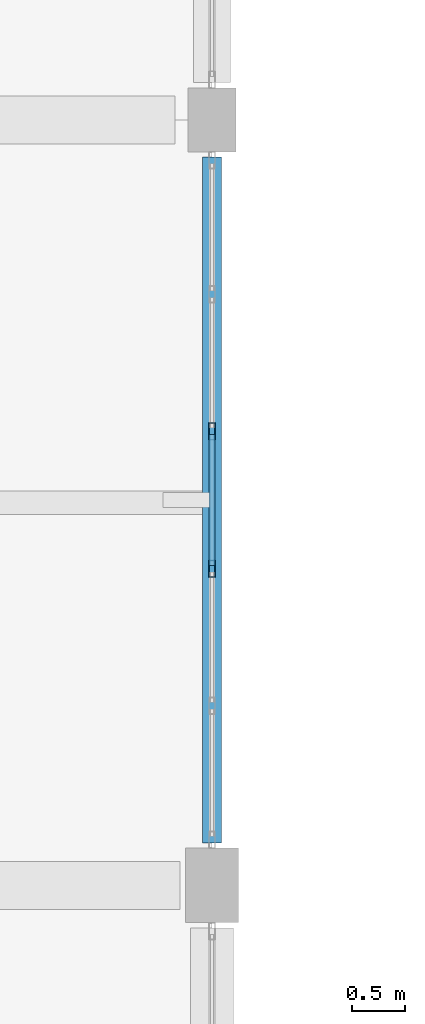
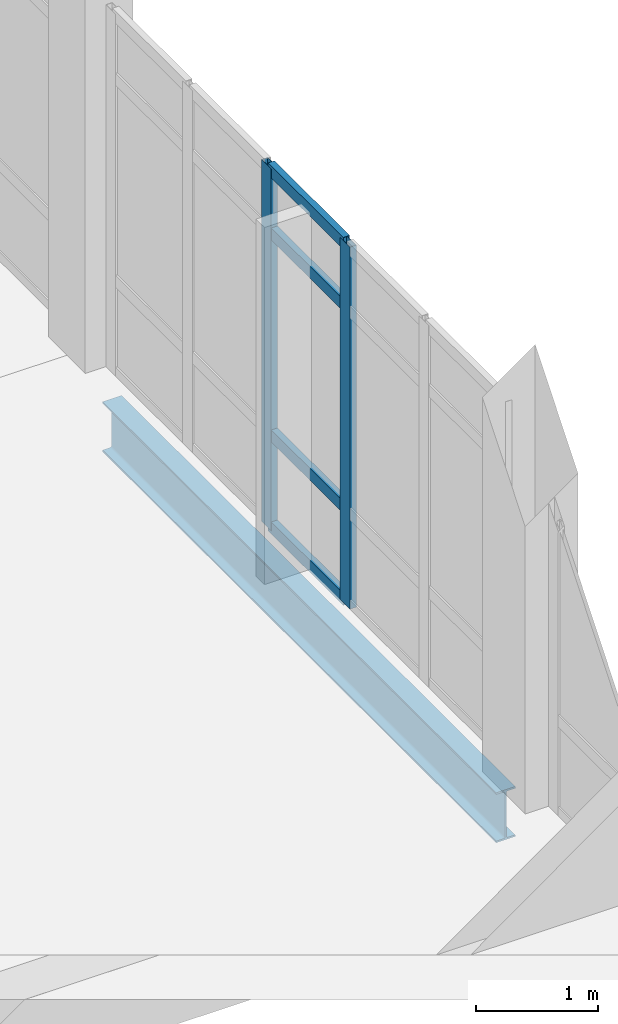
# One storey, part 17 of 87: 6 members, 1 beam, 1 element without a shape of its own.
"""IFC4 building model written with IfcOpenShell, lengths in metres."""

import ifcopenshell
import ifcopenshell.guid

model = None  # the IFC model being written
_history = None  # IfcOwnerHistory: only IFC2X3 demands one
_inside = {}  # id of a spatial element -> (the spatial element, [elements in it])
_under = {}  # id of a project, library or spatial element -> (it, [spatial elements below it])
_declared = {}  # id of a project -> (the project, [libraries it declares])
_typed = {}  # id of a type object -> (the type object, [elements of that type])
_made_of = {}  # id of a material, layer set ... -> (it, [elements and type objects made of it])


def new_model(schema):
    """Start an empty IFC model of exactly this schema.

    Asked for "IFC4X3", IfcOpenShell would pick the latest addendum, in which some entities
    have other attributes; the version numbers below select the first issue.
    IFC2X3 requires an IfcOwnerHistory on every rooted entity: one is made here for all.
    """
    global model, _history
    if schema == "IFC4X3":
        model = ifcopenshell.file(schema_version=(4, 3, 0, 0))
    else:
        model = ifcopenshell.file(schema=schema)
    _inside.clear()
    _under.clear()
    _declared.clear()
    _typed.clear()
    _made_of.clear()
    _history = None
    if model.schema == "IFC2X3":
        org = make("IfcOrganization", Name="unknown")
        user = make(
            "IfcPersonAndOrganization",
            ThePerson=make("IfcPerson", FamilyName="unknown"),
            TheOrganization=org,
        )
        app = make(
            "IfcApplication",
            ApplicationDeveloper=org,
            Version="unknown",
            ApplicationFullName="unknown",
            ApplicationIdentifier="unknown",
        )
        _history = make(
            "IfcOwnerHistory",
            OwningUser=user,
            OwningApplication=app,
            ChangeAction="ADDED",
            CreationDate=0,
        )
    return model


def make(cls, **values):
    """One entity of the class cls with the attributes given. An attribute that is None is left unset."""
    return model.create_entity(
        cls, **{name: value for name, value in values.items() if value is not None}
    )


def rooted(cls, **values):
    """An entity with a GlobalId (a new one), such as an element, a storey or a relation."""
    return make(cls, GlobalId=ifcopenshell.guid.new(), OwnerHistory=_history, **values)


def si_unit(unit_type, name, prefix=None):
    """IfcSIUnit, for example si_unit("LENGTHUNIT", "METRE", prefix="MILLI")."""
    return make("IfcSIUnit", UnitType=unit_type, Prefix=prefix, Name=name)


def assignment(units):
    """IfcUnitAssignment: the units of a project."""
    return None if units is None else make("IfcUnitAssignment", Units=units)


def point(xyz):
    """IfcCartesianPoint."""
    return None if xyz is None else make("IfcCartesianPoint", Coordinates=xyz)


def direction(xyz):
    """IfcDirection."""
    return None if xyz is None else make("IfcDirection", DirectionRatios=xyz)


def frame(location, z_axis=None, x_axis=None):
    """IfcAxis2Placement3D, a coordinate frame: its origin and axes. An axis left out is left unset."""
    return make(
        "IfcAxis2Placement3D",
        Location=point(location),
        Axis=direction(z_axis),
        RefDirection=direction(x_axis),
    )


def frame_2d(location, x_axis=None):
    """IfcAxis2Placement2D, a coordinate frame in the plane: its origin and x axis."""
    return make(
        "IfcAxis2Placement2D", Location=point(location), RefDirection=direction(x_axis)
    )


def origin():
    """The frame at (0, 0, 0) with its axes left unset."""
    return frame((0.0, 0.0, 0.0))


def origin_2d():
    """The frame at (0, 0) in the plane with its x axis left unset."""
    return frame_2d((0.0, 0.0))


def place(relative_to, where):
    """IfcLocalPlacement: puts the frame where relative to a parent placement (None: the world)."""
    return make(
        "IfcLocalPlacement", PlacementRelTo=relative_to, RelativePlacement=where
    )


def context(
    kind, dimensions, precision=None, world=None, true_north=None, identifier=None
):
    """IfcGeometricRepresentationContext, for example the 3D "Model" context."""
    return make(
        "IfcGeometricRepresentationContext",
        ContextIdentifier=identifier,
        ContextType=kind,
        CoordinateSpaceDimension=dimensions,
        Precision=precision,
        WorldCoordinateSystem=world,
        TrueNorth=true_north,
    )


def subcontext(parent, identifier, kind, view, scale=None):
    """IfcGeometricRepresentationSubContext, for example "Body" below "Model"."""
    return make(
        "IfcGeometricRepresentationSubContext",
        ContextIdentifier=identifier,
        ContextType=kind,
        ParentContext=parent,
        TargetScale=scale,
        TargetView=view,
    )


def project(units=None, contexts=None):
    """IfcProject with its units and contexts."""
    return rooted(
        "IfcProject",
        Name="project",
        RepresentationContexts=contexts,
        UnitsInContext=assignment(units),
    )


def spatial(cls, under=None, at=None, **own):
    """A site, building, storey or space (cls), placed at a placement, below another one or the project."""
    s = rooted(cls, ObjectPlacement=at, **own)
    if under is not None:
        _under.setdefault(under.id(), (under, []))[1].append(s)
    return s


def profile(cls, at=None, kind="AREA", **sizes):
    """A parametric profile (cls). Its sizes go by their IFC names, for example OverallWidth=200.0."""
    return make(cls, ProfileType=kind, Position=at, **sizes)


def hollow_rectangle(**sizes):
    """IfcRectangleHollowProfileDef."""
    return profile("IfcRectangleHollowProfileDef", **sizes)


def i_section(**sizes):
    """IfcIShapeProfileDef."""
    return profile("IfcIShapeProfileDef", **sizes)


def extrude(swept, where, along, depth):
    """IfcExtrudedAreaSolid: the profile swept, set in the frame where, extruded along a direction by depth."""
    return make(
        "IfcExtrudedAreaSolid",
        SweptArea=swept,
        Position=where,
        ExtrudedDirection=direction(along),
        Depth=depth,
    )


def shape(context_of_items, identifier, shape_type, items):
    """IfcShapeRepresentation: the items that make up one representation, for example the "Body"."""
    return make(
        "IfcShapeRepresentation",
        ContextOfItems=context_of_items,
        RepresentationIdentifier=identifier,
        RepresentationType=shape_type,
        Items=items,
    )


def material(Name=None, Category=None):
    """IfcMaterial."""
    return make("IfcMaterial", Name=Name, Category=Category)


def material_profile(
    of_material, cross_section, Name=None, Category=None, Priority=None
):
    """IfcMaterialProfile: a cross section and its material."""
    return make(
        "IfcMaterialProfile",
        Name=Name,
        Material=of_material,
        Profile=cross_section,
        Priority=Priority,
        Category=Category,
    )


def profile_set(profiles, Name=None, composite=None):
    """IfcMaterialProfileSet."""
    return make(
        "IfcMaterialProfileSet",
        Name=Name,
        MaterialProfiles=profiles,
        CompositeProfile=composite,
    )


def made_of(thing, what):
    """Note that an element or type object is made of a material, layer set ...; save() writes the relation."""
    if what is not None:
        _made_of.setdefault(what.id(), (what, []))[1].append(thing)
    return thing


def type_object(cls, material=None, **own):
    """A type object (cls), such as IfcWallType, which elements share."""
    return made_of(rooted(cls, **own), material)


def element(
    cls,
    number,
    at=None,
    inside=None,
    cuts=None,
    type_object=None,
    material=None,
    context=None,
    identifier="Body",
    shape_type=None,
    held_by="IfcProductDefinitionShape",
    body=None,
    shapes=None,
    **own,
):
    """One element of the class cls, such as IfcWall. Its Tag is "e" and its number.

    at: its placement. inside: the storey or other place that contains it. cuts: it is an
    opening in that element (IfcRelVoidsElement). A single representation is given by context,
    identifier, shape_type and body (its items); several are given by shapes. held_by: the class
    of the entity that holds the representations. save() writes the other relations.
    """
    e = rooted(cls, Tag="e%d" % number, ObjectPlacement=at, **own)
    if body is not None:
        shapes = [shape(context, identifier, shape_type, body)]
    if shapes is not None:
        e.Representation = make(held_by, Representations=shapes)
    if inside is not None:
        _inside.setdefault(inside.id(), (inside, []))[1].append(e)
    if cuts is not None:
        rooted(
            "IfcRelVoidsElement", RelatingBuildingElement=cuts, RelatedOpeningElement=e
        )
    if type_object is not None:
        _typed.setdefault(type_object.id(), (type_object, []))[1].append(e)
    return made_of(e, material)


def aggregate(whole, parts):
    """IfcRelAggregates: a whole, such as a stair, and the parts it consists of."""
    return rooted("IfcRelAggregates", RelatingObject=whole, RelatedObjects=parts)


def save(model, path):
    """Write the relations noted so far, then the file.

    IfcRelAggregates (storeys below a building ...), IfcRelContainedInSpatialStructure (elements
    in a storey), IfcRelDefinesByType, IfcRelAssociatesMaterial and IfcRelDeclares: one each for
    every whole, place, type object, material and project.
    """
    for whole, parts in _under.values():
        aggregate(whole, parts)
    for where, things in _inside.values():
        rooted(
            "IfcRelContainedInSpatialStructure",
            RelatedElements=things,
            RelatingStructure=where,
        )
    for kind, things in _typed.values():
        rooted("IfcRelDefinesByType", RelatedObjects=things, RelatingType=kind)
    for what, things in _made_of.values():
        rooted("IfcRelAssociatesMaterial", RelatedObjects=things, RelatingMaterial=what)
    for by, libraries in _declared.values():
        rooted("IfcRelDeclares", RelatingContext=by, RelatedDefinitions=libraries)
    model.write(path)


model = new_model("IFC4")

# Units and contexts
model_context = context("Model", 3, precision=1e-05, world=origin(), true_north=direction((0.0, 1.0)))
body_context = subcontext(model_context, "Body", "Model", "MODEL_VIEW")
ifc_project = project(units=[si_unit("LENGTHUNIT", "METRE"), si_unit("AREAUNIT", "SQUARE_METRE"), si_unit("VOLUMEUNIT", "CUBIC_METRE"), si_unit("PLANEANGLEUNIT", "RADIAN"), si_unit("MASSUNIT", "GRAM", prefix="KILO")], contexts=[model_context])

# Site, building, storey
site_placement = place(None, origin())
site = spatial("IfcSite", under=ifc_project, at=site_placement, CompositionType="ELEMENT")
building_placement = place(site_placement, origin())
building = spatial("IfcBuilding", under=site, at=building_placement, Name="Kalluvel Institute of Natural Sciences", CompositionType="ELEMENT")
storey_placement = place(building_placement, frame((0.0, 0.0, 18.89990234375)))
storey = spatial("IfcBuildingStorey", under=building, at=storey_placement, Name="L04", CompositionType="ELEMENT", Elevation=18.89990234375)

# Beam
ifc_material_1 = material(Name="Steel E350 Grade 350", Category="steel")
ifc_material_profile_1 = material_profile(ifc_material_1, i_section(OverallWidth=0.179931640625, OverallDepth=0.5, WebThickness=0.01025390625, FlangeThickness=0.01708984375, FilletRadius=0.01708984375, at=origin_2d()), Name="ISMB 500")
ifc_profile_set_1 = profile_set([ifc_material_profile_1], Name="Steel E350 Grade 350")
beam_type = type_object("IfcBeamType", Name="BM-ISMB500", PredefinedType="BEAM", material=ifc_profile_set_1)
beam_placement = place(storey_placement, frame((35.60009765625, 57.60009765625, -0.5498046875), z_axis=(0.0, 1.0, 0.0), x_axis=(-1.0, 0.0, 0.0)))
element("IfcBeam", 1, at=beam_placement, inside=storey, type_object=beam_type, Name="L04 girder GIR-L04-NS-X356-Y572", PredefinedType="BEAM", context=body_context, shape_type="SweptSolid", body=[
    extrude(i_section(OverallWidth=0.179931640625, OverallDepth=0.5, WebThickness=0.01025390625, FlangeThickness=0.01708984375, FilletRadius=0.01708984375, at=origin_2d()), origin(), (0.0, 0.0, 1.0), 6.449951171875),
])

# Curtain wall, members
ifc_material_2 = material(Name="Aluminium AW-6063 T6", Category="aluminium")
curtain_wall_type = type_object("IfcCurtainWallType", Name="CW-DRY-45", PredefinedType="USERDEFINED", material=ifc_material_2)
curtain_wall_placement = place(storey_placement, origin())
curtain_wall = element("IfcCurtainWall", 2, at=curtain_wall_placement, inside=storey, type_object=curtain_wall_type, Name="L04 Gothic lancet curtain wall CWA-L04-X356-Y576", ObjectType="UNITISED LANCET FACADE", PredefinedType="USERDEFINED")
ifc_material_profile_2 = material_profile(ifc_material_2, hollow_rectangle(XDim=0.06005859375, YDim=0.159912109375, WallThickness=0.00390625, at=origin_2d()), Name="CWM 60x160")
ifc_profile_set_2 = profile_set([ifc_material_profile_2], Name="Aluminium AW-6063 T6")
member_type_1 = type_object("IfcMemberType", Name="CWM-60x160", PredefinedType="MULLION", material=ifc_profile_set_2)
member_1_placement = place(storey_placement, frame((35.60009765625, 60.179931640625, 0.0), z_axis=(0.0, 0.0, 1.0), x_axis=(-1.0, 0.0, 0.0)))
member_1 = element("IfcMember", 3, at=member_1_placement, type_object=member_type_1, Name="CW-03 mullion 3", PredefinedType="MULLION", context=body_context, shape_type="SweptSolid", body=[
    extrude(hollow_rectangle(XDim=0.06005859375, YDim=0.159912109375, WallThickness=0.00390625, at=origin_2d()), origin(), (0.0, 0.0, 1.0), 3.6201171875),
])
member_2_placement = place(storey_placement, frame((35.60009765625, 61.469970703125, 0.0), z_axis=(0.0, 0.0, 1.0), x_axis=(-1.0, 0.0, 0.0)))
member_2 = element("IfcMember", 4, at=member_2_placement, type_object=member_type_1, Name="CW-03 mullion 4", PredefinedType="MULLION", context=body_context, shape_type="SweptSolid", body=[
    extrude(hollow_rectangle(XDim=0.06005859375, YDim=0.159912109375, WallThickness=0.00390625, at=origin_2d()), origin(), (0.0, 0.0, 1.0), 3.6201171875),
])
ifc_material_profile_3 = material_profile(ifc_material_2, hollow_rectangle(XDim=0.06005859375, YDim=0.1201171875, WallThickness=0.00390625, at=origin_2d()), Name="CWT 60x120")
ifc_profile_set_3 = profile_set([ifc_material_profile_3], Name="Aluminium AW-6063 T6")
member_type_2 = type_object("IfcMemberType", Name="CWT-60x120", PredefinedType="USERDEFINED", material=ifc_profile_set_3)
member_3_placement = place(storey_placement, frame((35.60009765625, 60.2099609375, 0.030029296875), z_axis=(0.0, 1.0, 0.0), x_axis=(-1.0, 0.0, 0.0)))
member_3 = element("IfcMember", 5, at=member_3_placement, type_object=member_type_2, Name="CW-03 transom 3.1", ObjectType="TRANSOM", PredefinedType="USERDEFINED", context=body_context, shape_type="SweptSolid", body=[
    extrude(hollow_rectangle(XDim=0.06005859375, YDim=0.1201171875, WallThickness=0.00390625, at=origin_2d()), origin(), (0.0, 0.0, 1.0), 1.22998046875),
])
member_4_placement = place(storey_placement, frame((35.60009765625, 60.2099609375, 0.9501953125), z_axis=(0.0, 1.0, 0.0), x_axis=(-1.0, 0.0, 0.0)))
member_4 = element("IfcMember", 6, at=member_4_placement, type_object=member_type_2, Name="CW-03 transom 3.2", ObjectType="TRANSOM", PredefinedType="USERDEFINED", context=body_context, shape_type="SweptSolid", body=[
    extrude(hollow_rectangle(XDim=0.06005859375, YDim=0.1201171875, WallThickness=0.00390625, at=origin_2d()), origin(), (0.0, 0.0, 1.0), 1.22998046875),
])
member_5_placement = place(storey_placement, frame((35.60009765625, 60.2099609375, 2.97021484375), z_axis=(0.0, 1.0, 0.0), x_axis=(-1.0, 0.0, 0.0)))
member_5 = element("IfcMember", 7, at=member_5_placement, type_object=member_type_2, Name="CW-03 transom 3.3", ObjectType="TRANSOM", PredefinedType="USERDEFINED", context=body_context, shape_type="SweptSolid", body=[
    extrude(hollow_rectangle(XDim=0.06005859375, YDim=0.1201171875, WallThickness=0.00390625, at=origin_2d()), origin(), (0.0, 0.0, 1.0), 1.22998046875),
])
member_6_placement = place(storey_placement, frame((35.60009765625, 60.2099609375, 3.590087890625), z_axis=(0.0, 1.0, 0.0), x_axis=(-1.0, 0.0, 0.0)))
member_6 = element("IfcMember", 8, at=member_6_placement, type_object=member_type_2, Name="CW-03 transom 3.4", ObjectType="TRANSOM", PredefinedType="USERDEFINED", context=body_context, shape_type="SweptSolid", body=[
    extrude(hollow_rectangle(XDim=0.06005859375, YDim=0.1201171875, WallThickness=0.00390625, at=origin_2d()), origin(), (0.0, 0.0, 1.0), 1.22998046875),
])
aggregate(curtain_wall, [member_1, member_2, member_3, member_4, member_5, member_6])

save(model, "model.ifc")
